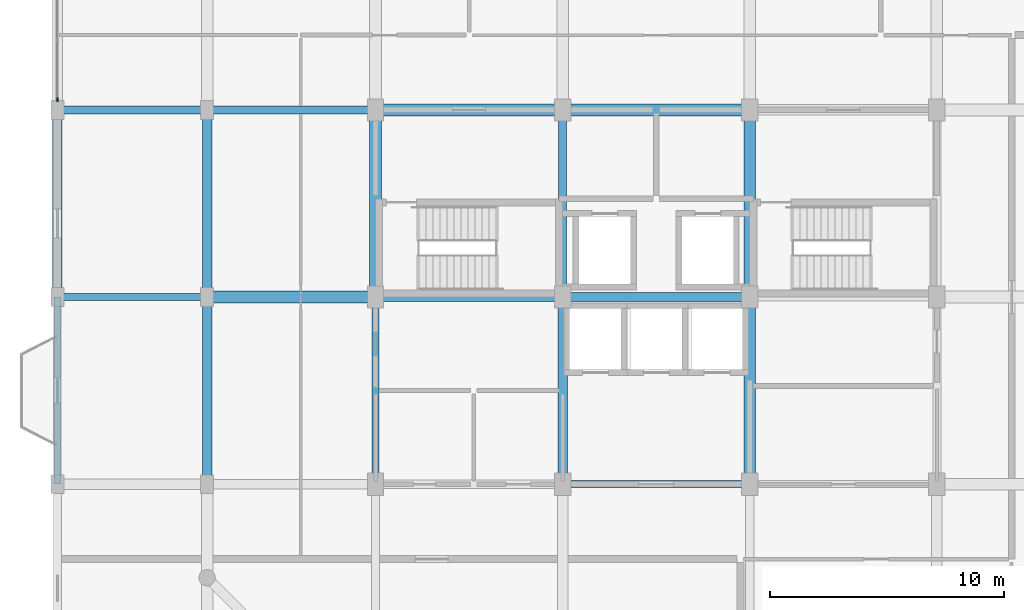
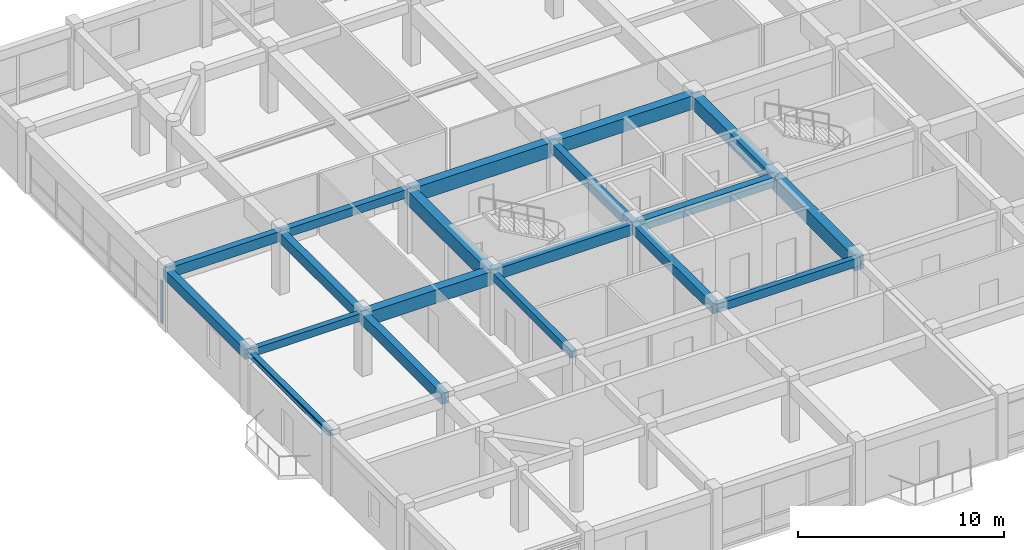
# One storey, part 3 of 15: 19 beams, 1 member, 1 element without a shape of its own.
"""IFC4 building model written with IfcOpenShell, lengths in metres."""

from ifc_helpers import new_model, si_unit, direction, frame, origin, origin_2d, place, context, subcontext, project, spatial, rectangle, i_section, extrude, material, material_profile, profile_set, type_object, element, aggregate, save


model = new_model("IFC4")

# Units and contexts
model_context = context("Model", 3, precision=1e-05, world=origin(), true_north=direction((0.0, 1.0)))
body_context = subcontext(model_context, "Body", "Model", "MODEL_VIEW")
ifc_project = project(units=[si_unit("LENGTHUNIT", "METRE"), si_unit("AREAUNIT", "SQUARE_METRE"), si_unit("VOLUMEUNIT", "CUBIC_METRE"), si_unit("PLANEANGLEUNIT", "RADIAN"), si_unit("MASSUNIT", "GRAM", prefix="KILO")], contexts=[model_context])

# Site, building, storey
site_placement = place(None, origin())
site = spatial("IfcSite", under=ifc_project, at=site_placement, CompositionType="ELEMENT")
building_placement = place(site_placement, origin())
building = spatial("IfcBuilding", under=site, at=building_placement, Name="Vellmiral Cinema and Media Centre", CompositionType="ELEMENT")
storey_placement = place(building_placement, frame((0.0, 0.0, 35.60009765625)))
storey = spatial("IfcBuildingStorey", under=building, at=storey_placement, Name="L08", CompositionType="ELEMENT", Elevation=35.60009765625)

# Beams
ifc_material_1 = material(Name="Concrete C40/50", Category="concrete")
ifc_material_profile_1 = material_profile(ifc_material_1, rectangle(XDim=0.300048828125, YDim=0.449951171875, at=origin_2d()), Name="RC 300x450")
ifc_profile_set_1 = profile_set([ifc_material_profile_1], Name="Concrete C40/50")
beam_type_1 = type_object("IfcBeamType", Name="BM-RC-300x450", PredefinedType="BEAM", material=ifc_profile_set_1)
beam_1_placement = place(storey_placement, frame((110.39990234375, 87.199951171875, 3.369873046875), z_axis=(1.0, 0.0, 0.0), x_axis=(0.0, 1.0, 0.0)))
element("IfcBeam", 1, at=beam_1_placement, inside=storey, type_object=beam_type_1, Name="Grid Beam L08-X022", PredefinedType="BEAM", context=body_context, shape_type="SweptSolid", body=[
    extrude(rectangle(XDim=0.300048828125, YDim=0.449951171875, at=origin_2d()), origin(), (0.0, 0.0, 1.0), 6.400146484375),
])
beam_2_placement = place(storey_placement, frame((124.0, 79.199951171875, 3.369873046875), z_axis=(0.0, 1.0, 0.0), x_axis=(-1.0, 0.0, 0.0)))
element("IfcBeam", 2, at=beam_2_placement, inside=storey, type_object=beam_type_1, Name="Grid Beam L08-Y063", PredefinedType="BEAM", context=body_context, shape_type="SweptSolid", body=[
    extrude(rectangle(XDim=0.300048828125, YDim=0.449951171875, at=origin_2d()), origin(), (0.0, 0.0, 1.0), 8.0),
])
ifc_material_2 = material(Name="Concrete C40/50", Category="concrete")
ifc_material_profile_2 = material_profile(ifc_material_2, rectangle(XDim=0.300048828125, YDim=0.5, at=origin_2d()), Name="RC 300x500")
ifc_profile_set_2 = profile_set([ifc_material_profile_2], Name="Concrete C40/50")
beam_type_2 = type_object("IfcBeamType", Name="BM-RC-300x500", PredefinedType="BEAM", material=ifc_profile_set_2)
beam_3_placement = place(storey_placement, frame((132.0, 79.199951171875, 3.344970703125), z_axis=(1.0, 0.0, 0.0), x_axis=(0.0, 1.0, 0.0)))
element("IfcBeam", 3, at=beam_3_placement, inside=storey, type_object=beam_type_2, Name="Grid Beam L08-X018", PredefinedType="BEAM", context=body_context, shape_type="SweptSolid", body=[
    extrude(rectangle(XDim=0.300048828125, YDim=0.5, at=origin_2d()), origin(), (0.0, 0.0, 1.0), 8.0),
])
ifc_material_3 = material(Name="Concrete C40/50", Category="concrete")
ifc_material_profile_3 = material_profile(ifc_material_3, rectangle(XDim=0.35009765625, YDim=0.5, at=origin_2d()), Name="RC 350x500")
ifc_profile_set_3 = profile_set([ifc_material_profile_3], Name="Concrete C40/50")
beam_type_3 = type_object("IfcBeamType", Name="BM-RC-350x500", PredefinedType="BEAM", material=ifc_profile_set_3)
beam_4_placement = place(storey_placement, frame((116.800048828125, 95.199951171875, 3.344970703125), z_axis=(1.0, 0.0, 0.0), x_axis=(0.0, 1.0, 0.0)))
element("IfcBeam", 4, at=beam_4_placement, inside=storey, type_object=beam_type_3, Name="Grid Beam L08-X030", PredefinedType="BEAM", context=body_context, shape_type="SweptSolid", body=[
    extrude(rectangle(XDim=0.35009765625, YDim=0.5, at=origin_2d()), origin(), (0.0, 0.0, 1.0), 7.199951171875),
])
ifc_material_4 = material(Name="Concrete C40/50", Category="concrete")
ifc_material_profile_4 = material_profile(ifc_material_4, rectangle(XDim=0.35009765625, YDim=0.60009765625, at=origin_2d()), Name="RC 350x600")
ifc_profile_set_4 = profile_set([ifc_material_profile_4], Name="Concrete C40/50")
beam_type_4 = type_object("IfcBeamType", Name="BM-RC-350x600", PredefinedType="BEAM", material=ifc_profile_set_4)
beam_5_placement = place(storey_placement, frame((110.39990234375, 95.199951171875, 3.294921875), z_axis=(1.0, 0.0, 0.0), x_axis=(0.0, 1.0, 0.0)))
element("IfcBeam", 5, at=beam_5_placement, inside=storey, type_object=beam_type_4, Name="Grid Beam L08-X029", PredefinedType="BEAM", context=body_context, shape_type="SweptSolid", body=[
    extrude(rectangle(XDim=0.35009765625, YDim=0.60009765625, at=origin_2d()), origin(), (0.0, 0.0, 1.0), 6.400146484375),
])
beam_6_placement = place(storey_placement, frame((132.0, 87.199951171875, 3.294921875), z_axis=(0.0, 1.0, 0.0), x_axis=(-1.0, 0.0, 0.0)))
element("IfcBeam", 6, at=beam_6_placement, inside=storey, type_object=beam_type_4, Name="Grid Beam L08-Y070", PredefinedType="BEAM", context=body_context, shape_type="SweptSolid", body=[
    extrude(rectangle(XDim=0.35009765625, YDim=0.60009765625, at=origin_2d()), origin(), (0.0, 0.0, 1.0), 8.0),
])
ifc_material_5 = material(Name="Concrete C40/50", Category="concrete")
ifc_material_profile_5 = material_profile(ifc_material_5, rectangle(XDim=0.39990234375, YDim=0.60009765625, at=origin_2d()), Name="RC 400x600")
ifc_profile_set_5 = profile_set([ifc_material_profile_5], Name="Concrete C40/50")
beam_type_5 = type_object("IfcBeamType", Name="BM-RC-400x600", PredefinedType="BEAM", material=ifc_profile_set_5)
for number, where, z_axis, x_axis, name in (
    (7, (132.0, 87.199951171875, 3.294921875), (1.0, 0.0, 0.0), (0.0, 1.0, 0.0), "Grid Beam L08-X025"),
    (8, (116.800048828125, 87.199951171875, 3.294921875), (0.0, 1.0, 0.0), (-1.0, 0.0, 0.0), "Grid Beam L08-Y058"),
    (9, (132.0, 79.199951171875, 3.294921875), (0.0, 1.0, 0.0), (-1.0, 0.0, 0.0), "Grid Beam L08-Y069"),
):
    element("IfcBeam", number, at=place(storey_placement, frame(where, z_axis=z_axis, x_axis=x_axis)), inside=storey, type_object=beam_type_5, Name=name, PredefinedType="BEAM", context=body_context, shape_type="SweptSolid", body=[
        extrude(rectangle(XDim=0.39990234375, YDim=0.60009765625, at=origin_2d()), origin(), (0.0, 0.0, 1.0), 8.0),
    ])
ifc_material_6 = material(Name="Concrete C40/50", Category="concrete")
ifc_material_profile_6 = material_profile(ifc_material_6, rectangle(XDim=0.39990234375, YDim=0.64990234375, at=origin_2d()), Name="RC 400x650")
ifc_profile_set_6 = profile_set([ifc_material_profile_6], Name="Concrete C40/50")
beam_type_6 = type_object("IfcBeamType", Name="BM-RC-400x650", PredefinedType="BEAM", material=ifc_profile_set_6)
for number, where, z_axis, x_axis, name in (
    (10, (124.0, 87.199951171875, 3.27001953125), (1.0, 0.0, 0.0), (0.0, 1.0, 0.0), "Grid Beam L08-X024"),
    (11, (116.800048828125, 79.199951171875, 3.27001953125), (0.0, 1.0, 0.0), (-1.0, 0.0, 0.0), "Grid Beam L08-Y057"),
):
    element("IfcBeam", number, at=place(storey_placement, frame(where, z_axis=z_axis, x_axis=x_axis)), inside=storey, type_object=beam_type_6, Name=name, PredefinedType="BEAM", context=body_context, shape_type="SweptSolid", body=[
        extrude(rectangle(XDim=0.39990234375, YDim=0.64990234375, at=origin_2d()), origin(), (0.0, 0.0, 1.0), 8.0),
    ])
ifc_material_7 = material(Name="Concrete C40/50", Category="concrete")
ifc_material_profile_7 = material_profile(ifc_material_7, rectangle(XDim=0.5, YDim=0.800048828125, at=origin_2d()), Name="RC 500x800")
ifc_profile_set_7 = profile_set([ifc_material_profile_7], Name="Concrete C40/50")
beam_type_7 = type_object("IfcBeamType", Name="BM-RC-500x800", PredefinedType="BEAM", material=ifc_profile_set_7)
beam_7_placement = place(storey_placement, frame((116.800048828125, 87.199951171875, 3.19482421875), z_axis=(1.0, 0.0, 0.0), x_axis=(0.0, 1.0, 0.0)))
element("IfcBeam", 12, at=beam_7_placement, inside=storey, type_object=beam_type_7, Name="Grid Beam L08-X023", PredefinedType="BEAM", context=body_context, shape_type="SweptSolid", body=[
    extrude(rectangle(XDim=0.5, YDim=0.800048828125, at=origin_2d()), origin(), (0.0, 0.0, 1.0), 7.199951171875),
])
for number, where, z_axis, x_axis, name in (
    (13, (132.0, 95.199951171875, 3.19482421875), (1.0, 0.0, 0.0), (0.0, 1.0, 0.0), "Grid Beam L08-X032"),
    (14, (140.0, 87.199951171875, 3.19482421875), (0.0, 1.0, 0.0), (-1.0, 0.0, 0.0), "Grid Beam L08-Y076"),
):
    element("IfcBeam", number, at=place(storey_placement, frame(where, z_axis=z_axis, x_axis=x_axis)), inside=storey, type_object=beam_type_7, Name=name, PredefinedType="BEAM", context=body_context, shape_type="SweptSolid", body=[
        extrude(rectangle(XDim=0.5, YDim=0.800048828125, at=origin_2d()), origin(), (0.0, 0.0, 1.0), 8.0),
    ])
ifc_material_8 = material(Name="Concrete C40/50", Category="concrete")
ifc_material_profile_8 = material_profile(ifc_material_8, rectangle(XDim=0.5, YDim=0.85009765625, at=origin_2d()), Name="RC 500x850")
ifc_profile_set_8 = profile_set([ifc_material_profile_8], Name="Concrete C40/50")
beam_type_8 = type_object("IfcBeamType", Name="BM-RC-500x850", PredefinedType="BEAM", material=ifc_profile_set_8)
for number, where, z_axis, x_axis, name in (
    (15, (124.0, 95.199951171875, 3.169921875), (1.0, 0.0, 0.0), (0.0, 1.0, 0.0), "Grid Beam L08-X031"),
    (16, (124.0, 87.199951171875, 3.169921875), (0.0, 1.0, 0.0), (-1.0, 0.0, 0.0), "Grid Beam L08-Y064"),
    (17, (140.0, 79.199951171875, 3.169921875), (0.0, 1.0, 0.0), (-1.0, 0.0, 0.0), "Grid Beam L08-Y075"),
):
    element("IfcBeam", number, at=place(storey_placement, frame(where, z_axis=z_axis, x_axis=x_axis)), inside=storey, type_object=beam_type_8, Name=name, PredefinedType="BEAM", context=body_context, shape_type="SweptSolid", body=[
        extrude(rectangle(XDim=0.5, YDim=0.85009765625, at=origin_2d()), origin(), (0.0, 0.0, 1.0), 8.0),
    ])

# Curtain wall, member
ifc_material_9 = material(Name="Thermally Broken Aluminium and Triple Glazing", Category="aluminium")
curtain_wall_type = type_object("IfcCurtainWallType", Name="CW-TOWER-LOW-N", PredefinedType="USERDEFINED", material=ifc_material_9)
curtain_wall_placement = place(storey_placement, origin())
curtain_wall = element("IfcCurtainWall", 18, at=curtain_wall_placement, inside=storey, type_object=curtain_wall_type, Name="Curtain Wall L08-B025", ObjectType="UNITISED CURTAIN WALL", PredefinedType="USERDEFINED")
ifc_material_10 = material(Name="Thermally Broken Anodised Aluminium", Category="aluminium")
ifc_material_profile_9 = material_profile(ifc_material_10, rectangle(XDim=0.06494140625, YDim=0.159912109375, at=origin_2d()), Name="MULL 65x160")
ifc_profile_set_9 = profile_set([ifc_material_profile_9], Name="Thermally Broken Anodised Aluminium")
member_type = type_object("IfcMemberType", Name="CWM-65x160", PredefinedType="MULLION", material=ifc_profile_set_9)
member_placement = place(storey_placement, frame((110.39990234375, 95.632568359375, 0.0), z_axis=(0.0, 0.0, 1.0), x_axis=(1.0, 0.0, 0.0)))
member = element("IfcMember", 19, at=member_placement, type_object=member_type, Name="CW-05 mullion 6", PredefinedType="MULLION", context=body_context, shape_type="SweptSolid", body=[
    extrude(rectangle(XDim=0.06494140625, YDim=0.159912109375, at=origin_2d()), origin(), (0.0, 0.0, 1.0), 2.534912109375),
])
aggregate(curtain_wall, [member])

# Beams
ifc_material_11 = material(Name="Steel S355", Category="steel")
ifc_material_profile_10 = material_profile(ifc_material_11, i_section(OverallWidth=0.300048828125, OverallDepth=0.300048828125, WebThickness=0.010986328125, FlangeThickness=0.01904296875, FilletRadius=0.027099609375, at=origin_2d()), Name="HEB 300")
ifc_profile_set_10 = profile_set([ifc_material_profile_10], Name="Steel S355")
beam_type_9 = type_object("IfcBeamType", Name="SBM-HEB300", PredefinedType="SPANDREL", material=ifc_profile_set_10)
beam_8_placement = place(storey_placement, frame((110.39990234375, 79.199951171875, 3.44482421875), z_axis=(0.0, 1.0, 0.0), x_axis=(-1.0, 0.0, 0.0)))
element("IfcBeam", 20, at=beam_8_placement, inside=storey, type_object=beam_type_9, Name="Grid Beam L08-Y051", PredefinedType="SPANDREL", context=body_context, shape_type="SweptSolid", body=[
    extrude(i_section(OverallWidth=0.300048828125, OverallDepth=0.300048828125, WebThickness=0.010986328125, FlangeThickness=0.01904296875, FilletRadius=0.027099609375, at=origin_2d()), origin(), (0.0, 0.0, 1.0), 8.0),
])
ifc_material_12 = material(Name="Concrete C40/50", Category="concrete")
ifc_material_profile_11 = material_profile(ifc_material_12, rectangle(XDim=0.39990234375, YDim=0.60009765625, at=origin_2d()), Name="RC 400x600")
ifc_profile_set_11 = profile_set([ifc_material_profile_11], Name="Concrete C40/50")
beam_type_10 = type_object("IfcBeamType", Name="SPD-RC-400x600", PredefinedType="SPANDREL", material=ifc_profile_set_11)
beam_9_placement = place(storey_placement, frame((110.39990234375, 87.199951171875, 3.294921875), z_axis=(0.0, 1.0, 0.0), x_axis=(-1.0, 0.0, 0.0)))
element("IfcBeam", 21, at=beam_9_placement, inside=storey, type_object=beam_type_10, Name="Grid Beam L08-Y052", PredefinedType="SPANDREL", context=body_context, shape_type="SweptSolid", body=[
    extrude(rectangle(XDim=0.39990234375, YDim=0.60009765625, at=origin_2d()), origin(), (0.0, 0.0, 1.0), 8.0),
])

save(model, "model.ifc")
